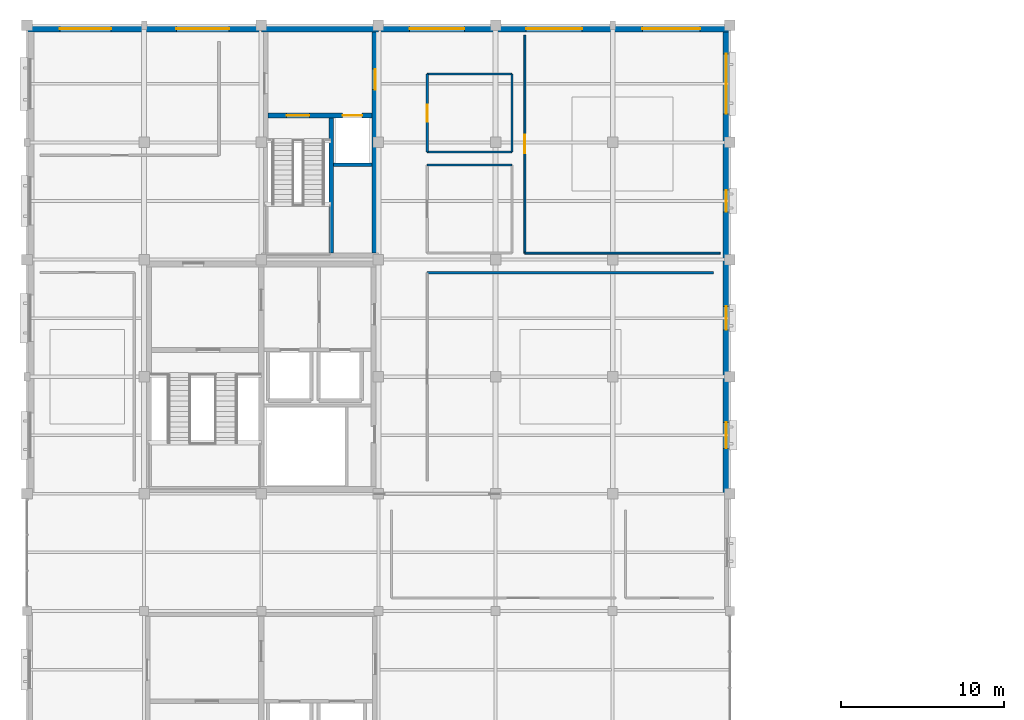
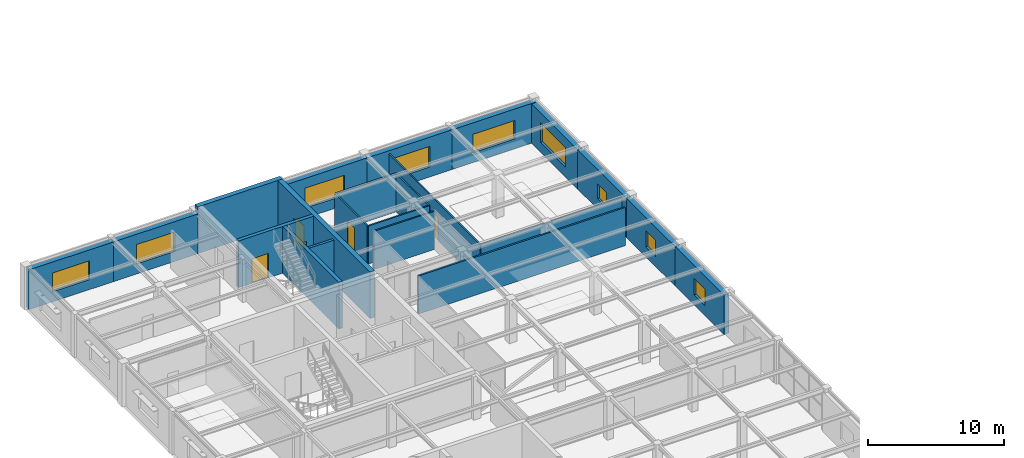
# One storey, part 67 of 83: 22 walls, 9 windows, 5 doors, 14 openings.
"""IFC4 building model written with IfcOpenShell, lengths in metres."""

from ifc_helpers import new_model, si_unit, direction, frame, frame_2d, origin, place, context, subcontext, project, spatial, rectangle, extrude, material, layer, layer_set, type_object, element, fill, save


model = new_model("IFC4")

# Units and contexts
model_context = context("Model", 3, precision=1e-05, world=origin(), true_north=direction((0.0, 1.0)))
body_context = subcontext(model_context, "Body", "Model", "MODEL_VIEW")
ifc_project = project(units=[si_unit("LENGTHUNIT", "METRE"), si_unit("AREAUNIT", "SQUARE_METRE"), si_unit("VOLUMEUNIT", "CUBIC_METRE"), si_unit("PLANEANGLEUNIT", "RADIAN"), si_unit("MASSUNIT", "GRAM", prefix="KILO")], contexts=[model_context])

# Site, building, storey
site_placement = place(None, origin())
site = spatial("IfcSite", under=ifc_project, at=site_placement, CompositionType="ELEMENT")
building_placement = place(site_placement, origin())
building = spatial("IfcBuilding", under=site, at=building_placement, Name="Leyfeld Transit Interchange", CompositionType="ELEMENT")
storey_placement = place(building_placement, frame((0.0, 0.0, 5.39990234375)))
storey = spatial("IfcBuildingStorey", under=building, at=storey_placement, Name="L01", CompositionType="ELEMENT", Elevation=5.39990234375)

# Wall, opening, window
ifc_material_1 = material(Name="Clinker brick masonry - Insulated", Category="masonry")
ifc_layer_1 = layer(ifc_material_1, 0.419921875, Name="Clinker brick masonry - Insulated")
ifc_layer_set_1 = layer_set([ifc_layer_1], Name="Clinker brick masonry - Insulated")
wall_type_1 = type_object("IfcWallType", Name="WL-EXT-BRK-420", PredefinedType="SOLIDWALL", material=ifc_layer_set_1)
wall_1_placement = place(storey_placement, frame((0.0, 122.18994140625, 0.0), z_axis=(0.0, 0.0, 1.0), x_axis=(1.0, 0.0, 0.0)))
wall_1 = element("IfcWall", 1, at=wall_1_placement, inside=storey, type_object=wall_type_1, Name="External Facade Wall EW-L01-046", PredefinedType="SOLIDWALL", context=body_context, shape_type="SweptSolid", body=[
    extrude(rectangle(XDim=7.199951171875, YDim=0.419921875, at=frame_2d((3.60009765625, 0.0))), origin(), (0.0, 0.0, 1.0), 3.580078125),
])
opening_1_placement = place(wall_1_placement, frame((2.02490234375, 0.0, 0.89990234375)))
opening_1 = element("IfcOpeningElement", 2, at=opening_1_placement, cuts=wall_1, Name="Opening WU-20", PredefinedType="OPENING", context=body_context, shape_type="SweptSolid", body=[
    extrude(rectangle(XDim=3.14990234375, YDim=1.699951171875, at=frame_2d((1.574951171875, 0.85009765625))), frame((0.0, 0.219970703125, 0.0), z_axis=(0.0, -1.0, 0.0), x_axis=(1.0, 0.0, 0.0)), (0.0, 0.0, 1.0), 0.43994140625),
])
ifc_material_2 = material(Name="Triple low-E insulated glazing", Category="glass")
window_type_1 = type_object("IfcWindowType", Name="WIN-UNQ-20", PartitioningType="SINGLE_PANEL", PredefinedType="WINDOW", material=ifc_material_2)
window_1_placement = place(opening_1_placement, origin())
window_1 = element("IfcWindow", 3, at=window_1_placement, inside=storey, type_object=window_type_1, Name="Facade Window L01 020", OverallHeight=1.699951171875, OverallWidth=3.14990234375, PartitioningType="SINGLE_PANEL", PredefinedType="WINDOW", context=body_context, shape_type="SweptSolid", body=[
    extrude(rectangle(XDim=3.14990234375, YDim=1.699951171875, at=frame_2d((1.574951171875, 0.85009765625))), frame((0.0, 0.030029296875, 0.0), z_axis=(0.0, -1.0, 0.0), x_axis=(1.0, 0.0, 0.0)), (0.0, 0.0, 1.0), 0.06005859375),
])
fill(opening_1, window_1)

wall_2_placement = place(storey_placement, frame((7.199951171875, 122.18994140625, 0.0), z_axis=(0.0, 0.0, 1.0), x_axis=(1.0, 0.0, 0.0)))
wall_2 = element("IfcWall", 4, at=wall_2_placement, inside=storey, type_object=wall_type_1, Name="External Facade Wall EW-L01-047", PredefinedType="SOLIDWALL", context=body_context, shape_type="SweptSolid", body=[
    extrude(rectangle(XDim=7.199951171875, YDim=0.419921875, at=frame_2d((3.60009765625, 0.0))), origin(), (0.0, 0.0, 1.0), 3.580078125),
])
opening_2_placement = place(wall_2_placement, frame((1.97509765625, 0.0, 0.89990234375)))
opening_2 = element("IfcOpeningElement", 5, at=opening_2_placement, cuts=wall_2, Name="Opening WU-21", PredefinedType="OPENING", context=body_context, shape_type="SweptSolid", body=[
    extrude(rectangle(XDim=3.25, YDim=1.75, at=frame_2d((1.625, 0.875))), frame((0.0, 0.219970703125, 0.0), z_axis=(0.0, -1.0, 0.0), x_axis=(1.0, 0.0, 0.0)), (0.0, 0.0, 1.0), 0.43994140625),
])
window_type_2 = type_object("IfcWindowType", Name="WIN-UNQ-21", PartitioningType="SINGLE_PANEL", PredefinedType="WINDOW", material=ifc_material_2)
window_2_placement = place(opening_2_placement, origin())
window_2 = element("IfcWindow", 6, at=window_2_placement, inside=storey, type_object=window_type_2, Name="Facade Window L01 021", OverallHeight=1.75, OverallWidth=3.25, PartitioningType="SINGLE_PANEL", PredefinedType="WINDOW", context=body_context, shape_type="SweptSolid", body=[
    extrude(rectangle(XDim=3.25, YDim=1.75, at=frame_2d((1.625, 0.875))), frame((0.0, 0.030029296875, 0.0), z_axis=(0.0, -1.0, 0.0), x_axis=(1.0, 0.0, 0.0)), (0.0, 0.0, 1.0), 0.06005859375),
])
fill(opening_2, window_2)

wall_3_placement = place(storey_placement, frame((21.60009765625, 122.18994140625, 0.0), z_axis=(0.0, 0.0, 1.0), x_axis=(1.0, 0.0, 0.0)))
wall_3 = element("IfcWall", 7, at=wall_3_placement, inside=storey, type_object=wall_type_1, Name="External Facade Wall EW-L01-048", PredefinedType="SOLIDWALL", context=body_context, shape_type="SweptSolid", body=[
    extrude(rectangle(XDim=7.199951171875, YDim=0.419921875, at=frame_2d((3.60009765625, 0.0))), origin(), (0.0, 0.0, 1.0), 3.580078125),
])
opening_3_placement = place(wall_3_placement, frame((1.925048828125, 0.0, 0.89990234375)))
opening_3 = element("IfcOpeningElement", 8, at=opening_3_placement, cuts=wall_3, Name="Opening WU-22", PredefinedType="OPENING", context=body_context, shape_type="SweptSolid", body=[
    extrude(rectangle(XDim=3.35009765625, YDim=1.800048828125, at=frame_2d((1.675048828125, 0.89990234375))), frame((0.0, 0.219970703125, 0.0), z_axis=(0.0, -1.0, 0.0), x_axis=(1.0, 0.0, 0.0)), (0.0, 0.0, 1.0), 0.43994140625),
])
window_type_3 = type_object("IfcWindowType", Name="WIN-UNQ-22", PartitioningType="SINGLE_PANEL", PredefinedType="WINDOW", material=ifc_material_2)
window_3_placement = place(opening_3_placement, origin())
window_3 = element("IfcWindow", 9, at=window_3_placement, inside=storey, type_object=window_type_3, Name="Facade Window L01 022", OverallHeight=1.800048828125, OverallWidth=3.35009765625, PartitioningType="SINGLE_PANEL", PredefinedType="WINDOW", context=body_context, shape_type="SweptSolid", body=[
    extrude(rectangle(XDim=3.35009765625, YDim=1.800048828125, at=frame_2d((1.675048828125, 0.89990234375))), frame((0.0, 0.030029296875, 0.0), z_axis=(0.0, -1.0, 0.0), x_axis=(1.0, 0.0, 0.0)), (0.0, 0.0, 1.0), 0.06005859375),
])
fill(opening_3, window_3)

wall_4_placement = place(storey_placement, frame((28.800048828125, 122.18994140625, 0.0), z_axis=(0.0, 0.0, 1.0), x_axis=(1.0, 0.0, 0.0)))
wall_4 = element("IfcWall", 10, at=wall_4_placement, inside=storey, type_object=wall_type_1, Name="External Facade Wall EW-L01-049", PredefinedType="SOLIDWALL", context=body_context, shape_type="SweptSolid", body=[
    extrude(rectangle(XDim=7.199951171875, YDim=0.419921875, at=frame_2d((3.60009765625, 0.0))), origin(), (0.0, 0.0, 1.0), 3.580078125),
])
opening_4_placement = place(wall_4_placement, frame((1.875, 0.0, 0.89990234375)))
opening_4 = element("IfcOpeningElement", 11, at=opening_4_placement, cuts=wall_4, Name="Opening WU-23", PredefinedType="OPENING", context=body_context, shape_type="SweptSolid", body=[
    extrude(rectangle(XDim=3.449951171875, YDim=1.85009765625, at=frame_2d((1.72509765625, 0.925048828125))), frame((0.0, 0.219970703125, 0.0), z_axis=(0.0, -1.0, 0.0), x_axis=(1.0, 0.0, 0.0)), (0.0, 0.0, 1.0), 0.43994140625),
])
window_type_4 = type_object("IfcWindowType", Name="WIN-UNQ-23", PartitioningType="SINGLE_PANEL", PredefinedType="WINDOW", material=ifc_material_2)
window_4_placement = place(opening_4_placement, origin())
window_4 = element("IfcWindow", 12, at=window_4_placement, inside=storey, type_object=window_type_4, Name="Facade Window L01 023", OverallHeight=1.85009765625, OverallWidth=3.449951171875, PartitioningType="SINGLE_PANEL", PredefinedType="WINDOW", context=body_context, shape_type="SweptSolid", body=[
    extrude(rectangle(XDim=3.449951171875, YDim=1.85009765625, at=frame_2d((1.72509765625, 0.925048828125))), frame((0.0, 0.030029296875, 0.0), z_axis=(0.0, -1.0, 0.0), x_axis=(1.0, 0.0, 0.0)), (0.0, 0.0, 1.0), 0.06005859375),
])
fill(opening_4, window_4)

wall_5_placement = place(storey_placement, frame((36.0, 122.18994140625, 0.0), z_axis=(0.0, 0.0, 1.0), x_axis=(1.0, 0.0, 0.0)))
wall_5 = element("IfcWall", 13, at=wall_5_placement, inside=storey, type_object=wall_type_1, Name="External Facade Wall EW-L01-050", PredefinedType="SOLIDWALL", context=body_context, shape_type="SweptSolid", body=[
    extrude(rectangle(XDim=7.199951171875, YDim=0.419921875, at=frame_2d((3.60009765625, 0.0))), origin(), (0.0, 0.0, 1.0), 3.580078125),
])
opening_5_placement = place(wall_5_placement, frame((1.824951171875, 0.0, 0.89990234375)))
opening_5 = element("IfcOpeningElement", 14, at=opening_5_placement, cuts=wall_5, Name="Opening WU-24", PredefinedType="OPENING", context=body_context, shape_type="SweptSolid", body=[
    extrude(rectangle(XDim=3.550048828125, YDim=1.64990234375, at=frame_2d((1.77490234375, 0.824951171875))), frame((0.0, 0.219970703125, 0.0), z_axis=(0.0, -1.0, 0.0), x_axis=(1.0, 0.0, 0.0)), (0.0, 0.0, 1.0), 0.43994140625),
])
window_type_5 = type_object("IfcWindowType", Name="WIN-UNQ-24", PartitioningType="SINGLE_PANEL", PredefinedType="WINDOW", material=ifc_material_2)
window_5_placement = place(opening_5_placement, origin())
window_5 = element("IfcWindow", 15, at=window_5_placement, inside=storey, type_object=window_type_5, Name="Facade Window L01 024", OverallHeight=1.64990234375, OverallWidth=3.550048828125, PartitioningType="SINGLE_PANEL", PredefinedType="WINDOW", context=body_context, shape_type="SweptSolid", body=[
    extrude(rectangle(XDim=3.550048828125, YDim=1.64990234375, at=frame_2d((1.77490234375, 0.824951171875))), frame((0.0, 0.030029296875, 0.0), z_axis=(0.0, -1.0, 0.0), x_axis=(1.0, 0.0, 0.0)), (0.0, 0.0, 1.0), 0.06005859375),
])
fill(opening_5, window_5)

wall_6_placement = place(storey_placement, frame((42.989990234375, 122.39990234375, 0.0), z_axis=(0.0, 0.0, 1.0), x_axis=(0.0, -1.0, 0.0)))
wall_6 = element("IfcWall", 16, at=wall_6_placement, inside=storey, type_object=wall_type_1, Name="External Facade Wall EW-L01-051", PredefinedType="SOLIDWALL", context=body_context, shape_type="SweptSolid", body=[
    extrude(rectangle(XDim=7.199951171875, YDim=0.419921875, at=frame_2d((3.60009765625, 0.0))), origin(), (0.0, 0.0, 1.0), 3.550048828125),
])
opening_6_placement = place(wall_6_placement, frame((1.75, 0.0, 0.89990234375)))
opening_6 = element("IfcOpeningElement", 17, at=opening_6_placement, cuts=wall_6, Name="Opening WU-25", PredefinedType="OPENING", context=body_context, shape_type="SweptSolid", body=[
    extrude(rectangle(XDim=3.699951171875, YDim=1.75, at=frame_2d((1.85009765625, 0.875))), frame((0.0, 0.219970703125, 0.0), z_axis=(0.0, -1.0, 0.0), x_axis=(1.0, 0.0, 0.0)), (0.0, 0.0, 1.0), 0.43994140625),
])
window_type_6 = type_object("IfcWindowType", Name="WIN-UNQ-25", PartitioningType="SINGLE_PANEL", PredefinedType="WINDOW", material=ifc_material_2)
window_6_placement = place(opening_6_placement, origin())
window_6 = element("IfcWindow", 18, at=window_6_placement, inside=storey, type_object=window_type_6, Name="Facade Window L01 025", OverallHeight=1.75, OverallWidth=3.699951171875, PartitioningType="SINGLE_PANEL", PredefinedType="WINDOW", context=body_context, shape_type="SweptSolid", body=[
    extrude(rectangle(XDim=3.699951171875, YDim=1.75, at=frame_2d((1.85009765625, 0.875))), frame((0.0, 0.030029296875, 0.0), z_axis=(0.0, -1.0, 0.0), x_axis=(1.0, 0.0, 0.0)), (0.0, 0.0, 1.0), 0.06005859375),
])
fill(opening_6, window_6)

wall_7_placement = place(storey_placement, frame((42.989990234375, 115.199951171875, 0.0), z_axis=(0.0, 0.0, 1.0), x_axis=(0.0, -1.0, 0.0)))
wall_7 = element("IfcWall", 19, at=wall_7_placement, inside=storey, type_object=wall_type_1, Name="External Facade Wall EW-L01-052", PredefinedType="SOLIDWALL", context=body_context, shape_type="SweptSolid", body=[
    extrude(rectangle(XDim=7.199951171875, YDim=0.419921875, at=frame_2d((3.60009765625, 0.0))), origin(), (0.0, 0.0, 1.0), 3.550048828125),
])
opening_7_placement = place(wall_7_placement, frame((2.925048828125, 0.0, 0.89990234375)))
opening_7 = element("IfcOpeningElement", 20, at=opening_7_placement, cuts=wall_7, Name="Opening WM-01", PredefinedType="OPENING", context=body_context, shape_type="SweptSolid", body=[
    extrude(rectangle(XDim=1.35009765625, YDim=1.35009765625, at=frame_2d((0.675048828125, 0.675048828125))), frame((0.0, 0.219970703125, 0.0), z_axis=(0.0, -1.0, 0.0), x_axis=(1.0, 0.0, 0.0)), (0.0, 0.0, 1.0), 0.43994140625),
])
window_type_7 = type_object("IfcWindowType", Name="WIN-MOD-01", PartitioningType="SINGLE_PANEL", PredefinedType="WINDOW", material=ifc_material_2)
window_7_placement = place(opening_7_placement, origin())
window_7 = element("IfcWindow", 21, at=window_7_placement, inside=storey, type_object=window_type_7, Name="Facade Window L01 026", OverallHeight=1.35009765625, OverallWidth=1.35009765625, PartitioningType="SINGLE_PANEL", PredefinedType="WINDOW", context=body_context, shape_type="SweptSolid", body=[
    extrude(rectangle(XDim=1.35009765625, YDim=1.35009765625, at=frame_2d((0.675048828125, 0.675048828125))), frame((0.0, 0.030029296875, 0.0), z_axis=(0.0, -1.0, 0.0), x_axis=(1.0, 0.0, 0.0)), (0.0, 0.0, 1.0), 0.06005859375),
])
fill(opening_7, window_7)

wall_8_placement = place(storey_placement, frame((42.989990234375, 108.0, 0.0), z_axis=(0.0, 0.0, 1.0), x_axis=(0.0, -1.0, 0.0)))
wall_8 = element("IfcWall", 22, at=wall_8_placement, inside=storey, type_object=wall_type_1, Name="External Facade Wall EW-L01-053", PredefinedType="SOLIDWALL", context=body_context, shape_type="SweptSolid", body=[
    extrude(rectangle(XDim=7.199951171875, YDim=0.419921875, at=frame_2d((3.60009765625, 0.0))), origin(), (0.0, 0.0, 1.0), 3.550048828125),
])
opening_8_placement = place(wall_8_placement, frame((2.875, 0.0, 0.89990234375)))
opening_8 = element("IfcOpeningElement", 23, at=opening_8_placement, cuts=wall_8, Name="Opening WM-02", PredefinedType="OPENING", context=body_context, shape_type="SweptSolid", body=[
    extrude(rectangle(XDim=1.449951171875, YDim=1.449951171875, at=frame_2d((0.72509765625, 0.72509765625))), frame((0.0, 0.219970703125, 0.0), z_axis=(0.0, -1.0, 0.0), x_axis=(1.0, 0.0, 0.0)), (0.0, 0.0, 1.0), 0.43994140625),
])
window_type_8 = type_object("IfcWindowType", Name="WIN-MOD-02", PartitioningType="SINGLE_PANEL", PredefinedType="WINDOW", material=ifc_material_2)
window_8_placement = place(opening_8_placement, origin())
window_8 = element("IfcWindow", 24, at=window_8_placement, inside=storey, type_object=window_type_8, Name="Facade Window L01 027", OverallHeight=1.449951171875, OverallWidth=1.449951171875, PartitioningType="SINGLE_PANEL", PredefinedType="WINDOW", context=body_context, shape_type="SweptSolid", body=[
    extrude(rectangle(XDim=1.449951171875, YDim=1.449951171875, at=frame_2d((0.72509765625, 0.72509765625))), frame((0.0, 0.030029296875, 0.0), z_axis=(0.0, -1.0, 0.0), x_axis=(1.0, 0.0, 0.0)), (0.0, 0.0, 1.0), 0.06005859375),
])
fill(opening_8, window_8)

wall_9_placement = place(storey_placement, frame((42.989990234375, 100.800048828125, 0.0), z_axis=(0.0, 0.0, 1.0), x_axis=(0.0, -1.0, 0.0)))
wall_9 = element("IfcWall", 25, at=wall_9_placement, inside=storey, type_object=wall_type_1, Name="External Facade Wall EW-L01-054", PredefinedType="SOLIDWALL", context=body_context, shape_type="SweptSolid", body=[
    extrude(rectangle(XDim=7.199951171875, YDim=0.419921875, at=frame_2d((3.60009765625, 0.0))), origin(), (0.0, 0.0, 1.0), 3.550048828125),
])
opening_9_placement = place(wall_9_placement, frame((2.800048828125, 0.0, 0.89990234375)))
opening_9 = element("IfcOpeningElement", 26, at=opening_9_placement, cuts=wall_9, Name="Opening WM-03", PredefinedType="OPENING", context=body_context, shape_type="SweptSolid", body=[
    extrude(rectangle(XDim=1.60009765625, YDim=1.5, at=frame_2d((0.800048828125, 0.75))), frame((0.0, 0.219970703125, 0.0), z_axis=(0.0, -1.0, 0.0), x_axis=(1.0, 0.0, 0.0)), (0.0, 0.0, 1.0), 0.43994140625),
])
window_type_9 = type_object("IfcWindowType", Name="WIN-MOD-03", PartitioningType="SINGLE_PANEL", PredefinedType="WINDOW", material=ifc_material_2)
window_9_placement = place(opening_9_placement, origin())
window_9 = element("IfcWindow", 27, at=window_9_placement, inside=storey, type_object=window_type_9, Name="Facade Window L01 028", OverallHeight=1.5, OverallWidth=1.60009765625, PartitioningType="SINGLE_PANEL", PredefinedType="WINDOW", context=body_context, shape_type="SweptSolid", body=[
    extrude(rectangle(XDim=1.60009765625, YDim=1.5, at=frame_2d((0.800048828125, 0.75))), frame((0.0, 0.030029296875, 0.0), z_axis=(0.0, -1.0, 0.0), x_axis=(1.0, 0.0, 0.0)), (0.0, 0.0, 1.0), 0.06005859375),
])
fill(opening_9, window_9)

# Wall
ifc_material_3 = material(Name="Gypsum plasterboard acoustic stud", Category="gypsum")
ifc_layer_2 = layer(ifc_material_3, 0.114990234375, Name="Gypsum plasterboard acoustic stud")
ifc_layer_set_2 = layer_set([ifc_layer_2], Name="Gypsum plasterboard acoustic stud")
wall_type_2 = type_object("IfcWallType", Name="WL-INT-OFF-115", PredefinedType="PARTITIONING", material=ifc_layer_set_2)
wall_10_placement = place(storey_placement, frame((42.60009765625, 108.39990234375, 0.0), z_axis=(0.0, 0.0, 1.0), x_axis=(-1.0, 0.0, 0.0)))
element("IfcWall", 28, at=wall_10_placement, inside=storey, type_object=wall_type_2, Name="Interior Partition L01-OFF-V5 S", PredefinedType="PARTITIONING", context=body_context, shape_type="SweptSolid", body=[
    extrude(rectangle(XDim=12.0, YDim=0.114990234375, at=frame_2d((6.0, 0.0))), origin(), (0.0, 0.0, 1.0), 3.43017578125),
])

# Wall, opening, door
wall_11_placement = place(storey_placement, frame((30.60009765625, 108.39990234375, 0.0), z_axis=(0.0, 0.0, 1.0), x_axis=(0.0, 1.0, 0.0)))
wall_11 = element("IfcWall", 29, at=wall_11_placement, inside=storey, type_object=wall_type_2, Name="Interior Partition L01-OFF-V5 W", PredefinedType="PARTITIONING", context=body_context, shape_type="SweptSolid", body=[
    extrude(rectangle(XDim=13.400146484375, YDim=0.114990234375, at=frame_2d((6.7001953125, 0.0))), origin(), (0.0, 0.0, 1.0), 3.43017578125),
])
opening_10_placement = place(wall_11_placement, frame((6.139892578125, 0.0, 0.0)))
opening_10 = element("IfcOpeningElement", 30, at=opening_10_placement, cuts=wall_11, Name="Opening DU-06", PredefinedType="OPENING", context=body_context, shape_type="SweptSolid", body=[
    extrude(rectangle(XDim=1.1201171875, YDim=2.14990234375, at=frame_2d((0.56005859375, 1.074951171875))), frame((0.0, 0.0673828125, 0.0), z_axis=(0.0, -1.0, 0.0), x_axis=(1.0, 0.0, 0.0)), (0.0, 0.0, 1.0), 0.135009765625),
])
ifc_material_4 = material(Name="Austrian larch glulam GL28h", Category="wood")
door_type_1 = type_object("IfcDoorType", Name="DR-UNQ-06", OperationType="NOTDEFINED", PredefinedType="DOOR", material=ifc_material_4)
door_1_placement = place(opening_10_placement, origin())
door_1 = element("IfcDoor", 31, at=door_1_placement, inside=storey, type_object=door_type_1, Name="DR-L01-OFF-V5", OperationType="SINGLE_SWING_RIGHT", OverallHeight=2.14990234375, OverallWidth=1.1201171875, PredefinedType="DOOR", context=body_context, shape_type="SweptSolid", body=[
    extrude(rectangle(XDim=1.1201171875, YDim=2.14990234375, at=frame_2d((0.56005859375, 1.074951171875))), frame((0.0, 0.02490234375, 0.0), z_axis=(0.0, -1.0, 0.0), x_axis=(1.0, 0.0, 0.0)), (0.0, 0.0, 1.0), 0.050048828125),
])
fill(opening_10, door_1)

# Walls
ifc_material_5 = material(Name="Concrete C35/45", Category="concrete")
ifc_layer_3 = layer(ifc_material_5, 0.219970703125, Name="Concrete C35/45")
ifc_layer_set_3 = layer_set([ifc_layer_3], Name="Concrete C35/45")
wall_type_3 = type_object("IfcWallType", Name="WL-INT-SHF-220", PredefinedType="PARTITIONING", material=ifc_layer_set_3)
wall_12_placement = place(storey_placement, frame((18.840087890625, 113.840087890625, 0.0), z_axis=(0.0, 0.0, 1.0), x_axis=(1.0, 0.0, 0.0)))
element("IfcWall", 32, at=wall_12_placement, inside=storey, type_object=wall_type_3, Name="Core K2 Lift PL-2 Shaft Back Wall L01", PredefinedType="PARTITIONING", context=body_context, shape_type="SweptSolid", body=[
    extrude(rectangle(XDim=2.35986328125, YDim=0.219970703125, at=frame_2d((1.179931640625, 0.0))), origin(), (0.0, 0.0, 1.0), 3.85009765625),
])
ifc_layer_4 = layer(ifc_material_3, 0.14501953125, Name="Gypsum plasterboard acoustic stud")
ifc_layer_set_4 = layer_set([ifc_layer_4], Name="Gypsum plasterboard acoustic stud")
wall_type_4 = type_object("IfcWallType", Name="WL-INT-STD-145", PredefinedType="PARTITIONING", material=ifc_layer_set_4)
wall_13_placement = place(storey_placement, frame((24.60009765625, 107.199951171875, 0.0), z_axis=(0.0, 0.0, 1.0), x_axis=(1.0, 0.0, 0.0)))
element("IfcWall", 33, at=wall_13_placement, inside=storey, type_object=wall_type_4, Name="Interior Partition L01-CRW-01 N", PredefinedType="PARTITIONING", context=body_context, shape_type="SweptSolid", body=[
    extrude(rectangle(XDim=17.599853515625, YDim=0.14501953125, at=frame_2d((8.7998046875, 0.0))), origin(), (0.0, 0.0, 1.0), 3.43017578125),
])
ifc_material_6 = material(Name="Autoclaved aerated blockwork G4", Category="masonry")
ifc_layer_5 = layer(ifc_material_6, 0.125, Name="Autoclaved aerated blockwork G4")
ifc_layer_set_5 = layer_set([ifc_layer_5], Name="Autoclaved aerated blockwork G4")
wall_type_5 = type_object("IfcWallType", Name="WL-INT-WC-125", PredefinedType="PARTITIONING", material=ifc_layer_set_5)
for number, where, z_axis, x_axis, name in (
    (34, (24.60009765625, 113.800048828125, 0.0), (0.0, 0.0, 1.0), (1.0, 0.0, 0.0), "Interior Partition L01-WCM-02 N"),
    (35, (24.60009765625, 119.39990234375, 0.0), (0.0, 0.0, 1.0), (1.0, 0.0, 0.0), "Interior Partition L01-WCA-03 N"),
    (36, (29.800048828125, 114.60009765625, 0.0), (0.0, 0.0, 1.0), (-1.0, 0.0, 0.0), "Interior Partition L01-WCA-03 S"),
):
    element("IfcWall", number, at=place(storey_placement, frame(where, z_axis=z_axis, x_axis=x_axis)), inside=storey, type_object=wall_type_5, Name=name, PredefinedType="PARTITIONING", context=body_context, shape_type="SweptSolid", body=[
        extrude(rectangle(XDim=5.199951171875, YDim=0.125, at=frame_2d((2.60009765625, 0.0))), origin(), (0.0, 0.0, 1.0), 3.43017578125),
    ])
wall_14_placement = place(storey_placement, frame((29.800048828125, 119.39990234375, 0.0), z_axis=(0.0, 0.0, 1.0), x_axis=(0.0, -1.0, 0.0)))
element("IfcWall", 37, at=wall_14_placement, inside=storey, type_object=wall_type_5, Name="Interior Partition L01-WCA-03 E", PredefinedType="PARTITIONING", context=body_context, shape_type="SweptSolid", body=[
    extrude(rectangle(XDim=4.7998046875, YDim=0.125, at=frame_2d((2.39990234375, 0.0))), origin(), (0.0, 0.0, 1.0), 3.43017578125),
])

# Wall, opening, door
wall_15_placement = place(storey_placement, frame((24.60009765625, 114.60009765625, 0.0), z_axis=(0.0, 0.0, 1.0), x_axis=(0.0, 1.0, 0.0)))
wall_15 = element("IfcWall", 38, at=wall_15_placement, inside=storey, type_object=wall_type_5, Name="Interior Partition L01-WCA-03 W", PredefinedType="PARTITIONING", context=body_context, shape_type="SweptSolid", body=[
    extrude(rectangle(XDim=4.7998046875, YDim=0.125, at=frame_2d((2.39990234375, 0.0))), origin(), (0.0, 0.0, 1.0), 3.43017578125),
])
opening_11_placement = place(wall_15_placement, frame((1.875, 0.0, 0.0)))
opening_11 = element("IfcOpeningElement", 39, at=opening_11_placement, cuts=wall_15, Name="Opening DI-09", PredefinedType="OPENING", context=body_context, shape_type="SweptSolid", body=[
    extrude(rectangle(XDim=1.050048828125, YDim=2.10009765625, at=frame_2d((0.52490234375, 1.050048828125))), frame((0.0, 0.072509765625, 0.0), z_axis=(0.0, -1.0, 0.0), x_axis=(1.0, 0.0, 0.0)), (0.0, 0.0, 1.0), 0.14501953125),
])
door_type_2 = type_object("IfcDoorType", Name="DR-WCA-1050x2100", OperationType="NOTDEFINED", PredefinedType="DOOR", material=ifc_material_4)
door_2_placement = place(opening_11_placement, origin())
door_2 = element("IfcDoor", 40, at=door_2_placement, inside=storey, type_object=door_type_2, Name="DR-L01-WCA-03", OperationType="SINGLE_SWING_LEFT", OverallHeight=2.10009765625, OverallWidth=1.050048828125, PredefinedType="DOOR", context=body_context, shape_type="SweptSolid", body=[
    extrude(rectangle(XDim=1.050048828125, YDim=2.10009765625, at=frame_2d((0.52490234375, 1.050048828125))), frame((0.0, 0.02490234375, 0.0), z_axis=(0.0, -1.0, 0.0), x_axis=(1.0, 0.0, 0.0)), (0.0, 0.0, 1.0), 0.050048828125),
])
fill(opening_11, door_2)

# Wall
ifc_layer_6 = layer(ifc_material_5, 0.300048828125, Name="Concrete C35/45")
ifc_layer_set_6 = layer_set([ifc_layer_6], Name="Concrete C35/45")
wall_type_6 = type_object("IfcWallType", Name="WL-SH-300", PredefinedType="SHEAR", material=ifc_layer_set_6)
wall_16_placement = place(storey_placement, frame((18.699951171875, 116.699951171875, 0.0), z_axis=(0.0, 0.0, 1.0), x_axis=(0.0, -1.0, 0.0)))
element("IfcWall", 41, at=wall_16_placement, inside=storey, type_object=wall_type_6, Name="Core K2 Shear Wall SMID L01", PredefinedType="SHEAR", context=body_context, shape_type="SweptSolid", body=[
    extrude(rectangle(XDim=8.300048828125, YDim=0.300048828125, at=frame_2d((4.14990234375, 0.0))), origin(), (0.0, 0.0, 1.0), 4.2001953125),
])

# Wall, openings, doors
wall_17_placement = place(storey_placement, frame((14.800048828125, 116.85009765625, 0.0), z_axis=(0.0, 0.0, 1.0), x_axis=(1.0, 0.0, 0.0)))
wall_17 = element("IfcWall", 42, at=wall_17_placement, inside=storey, type_object=wall_type_6, Name="Core K2 Shear Wall STRN L01", PredefinedType="SHEAR", context=body_context, shape_type="SweptSolid", body=[
    extrude(rectangle(XDim=6.39990234375, YDim=0.300048828125, at=frame_2d((3.199951171875, 0.0))), origin(), (0.0, 0.0, 1.0), 4.2001953125),
])
opening_12_placement = place(wall_17_placement, frame((1.14990234375, 0.0, 0.0)))
opening_12 = element("IfcOpeningElement", 43, at=opening_12_placement, cuts=wall_17, Name="Opening DI-01", PredefinedType="OPENING", context=body_context, shape_type="SweptSolid", body=[
    extrude(rectangle(XDim=1.39990234375, YDim=2.199951171875, at=frame_2d((0.699951171875, 1.10009765625))), frame((0.0, 0.159912109375, 0.0), z_axis=(0.0, -1.0, 0.0), x_axis=(1.0, 0.0, 0.0)), (0.0, 0.0, 1.0), 0.320068359375),
])
opening_13_placement = place(wall_17_placement, frame((4.60009765625, 0.0, 0.0)))
opening_13 = element("IfcOpeningElement", 44, at=opening_13_placement, cuts=wall_17, Name="Opening LD-02", PredefinedType="OPENING", context=body_context, shape_type="SweptSolid", body=[
    extrude(rectangle(XDim=1.199951171875, YDim=2.14990234375, at=frame_2d((0.60009765625, 1.074951171875))), frame((0.0, 0.159912109375, 0.0), z_axis=(0.0, -1.0, 0.0), x_axis=(1.0, 0.0, 0.0)), (0.0, 0.0, 1.0), 0.320068359375),
])
ifc_material_7 = material(Name="Stainless steel EN 1.4404", Category="steel")
door_type_3 = type_object("IfcDoorType", Name="DR-LD-PAS-1200x2150", OperationType="NOTDEFINED", PredefinedType="DOOR", material=ifc_material_7)
door_3_placement = place(opening_13_placement, origin())
door_3 = element("IfcDoor", 45, at=door_3_placement, inside=storey, type_object=door_type_3, Name="LD-PL-2-L01", OperationType="DOUBLE_DOOR_SLIDING", OverallHeight=2.14990234375, OverallWidth=1.199951171875, PredefinedType="DOOR", context=body_context, shape_type="SweptSolid", body=[
    extrude(rectangle(XDim=1.199951171875, YDim=2.14990234375, at=frame_2d((0.60009765625, 1.074951171875))), frame((0.0, 0.02490234375, 0.0), z_axis=(0.0, -1.0, 0.0), x_axis=(1.0, 0.0, 0.0)), (0.0, 0.0, 1.0), 0.050048828125),
])
fill(opening_13, door_3)
ifc_material_8 = material(Name="Galvanised steel S275JR", Category="steel")
door_type_4 = type_object("IfcDoorType", Name="DR-STR-1400x2200", OperationType="NOTDEFINED", PredefinedType="DOOR", material=ifc_material_8)
door_4_placement = place(opening_12_placement, origin())
door_4 = element("IfcDoor", 46, at=door_4_placement, inside=storey, type_object=door_type_4, Name="DR-STR-INT-K2-L01", OperationType="SINGLE_SWING_RIGHT", OverallHeight=2.199951171875, OverallWidth=1.39990234375, PredefinedType="DOOR", context=body_context, shape_type="SweptSolid", body=[
    extrude(rectangle(XDim=1.39990234375, YDim=2.199951171875, at=frame_2d((0.699951171875, 1.10009765625))), frame((0.0, 0.02490234375, 0.0), z_axis=(0.0, -1.0, 0.0), x_axis=(1.0, 0.0, 0.0)), (0.0, 0.0, 1.0), 0.050048828125),
])
fill(opening_12, door_4)

# Wall
ifc_layer_7 = layer(ifc_material_5, 0.39990234375, Name="Concrete C35/45")
ifc_layer_set_7 = layer_set([ifc_layer_7], Name="Concrete C35/45")
wall_type_7 = type_object("IfcWallType", Name="WL-SH-400", PredefinedType="SHEAR", material=ifc_layer_set_7)
wall_18_placement = place(storey_placement, frame((14.39990234375, 122.199951171875, 0.0), z_axis=(0.0, 0.0, 1.0), x_axis=(1.0, 0.0, 0.0)))
element("IfcWall", 47, at=wall_18_placement, inside=storey, type_object=wall_type_7, Name="Core K2 Shear Wall N L01", PredefinedType="SHEAR", context=body_context, shape_type="SweptSolid", body=[
    extrude(rectangle(XDim=7.2001953125, YDim=0.39990234375, at=frame_2d((3.60009765625, 0.0))), origin(), (0.0, 0.0, 1.0), 4.2001953125),
])

# Wall, opening, door
wall_19_placement = place(storey_placement, frame((21.39990234375, 122.0, 0.0), z_axis=(0.0, 0.0, 1.0), x_axis=(0.0, -1.0, 0.0)))
wall_19 = element("IfcWall", 48, at=wall_19_placement, inside=storey, type_object=wall_type_7, Name="Core K2 Shear Wall E L01", PredefinedType="SHEAR", context=body_context, shape_type="SweptSolid", body=[
    extrude(rectangle(XDim=13.60009765625, YDim=0.39990234375, at=frame_2d((6.800048828125, 0.0))), origin(), (0.0, 0.0, 1.0), 4.2001953125),
])
opening_14_placement = place(wall_19_placement, frame((2.300048828125, 0.0, 0.0)))
opening_14 = element("IfcOpeningElement", 49, at=opening_14_placement, cuts=wall_19, Name="Opening DI-02", PredefinedType="OPENING", context=body_context, shape_type="SweptSolid", body=[
    extrude(rectangle(XDim=1.25, YDim=2.199951171875, at=frame_2d((0.625, 1.10009765625))), frame((0.0, 0.2099609375, 0.0), z_axis=(0.0, -1.0, 0.0), x_axis=(1.0, 0.0, 0.0)), (0.0, 0.0, 1.0), 0.419921875),
])
door_type_5 = type_object("IfcDoorType", Name="DR-FFL-1250x2200", OperationType="NOTDEFINED", PredefinedType="DOOR", material=ifc_material_8)
door_5_placement = place(opening_14_placement, origin())
door_5 = element("IfcDoor", 50, at=door_5_placement, inside=storey, type_object=door_type_5, Name="DR-CORE-OUT-K2-L01-E", OperationType="SINGLE_SWING_RIGHT", OverallHeight=2.199951171875, OverallWidth=1.25, PredefinedType="DOOR", context=body_context, shape_type="SweptSolid", body=[
    extrude(rectangle(XDim=1.25, YDim=2.199951171875, at=frame_2d((0.625, 1.10009765625))), frame((0.0, 0.02490234375, 0.0), z_axis=(0.0, -1.0, 0.0), x_axis=(1.0, 0.0, 0.0)), (0.0, 0.0, 1.0), 0.050048828125),
])
fill(opening_14, door_5)

save(model, "model.ifc")
